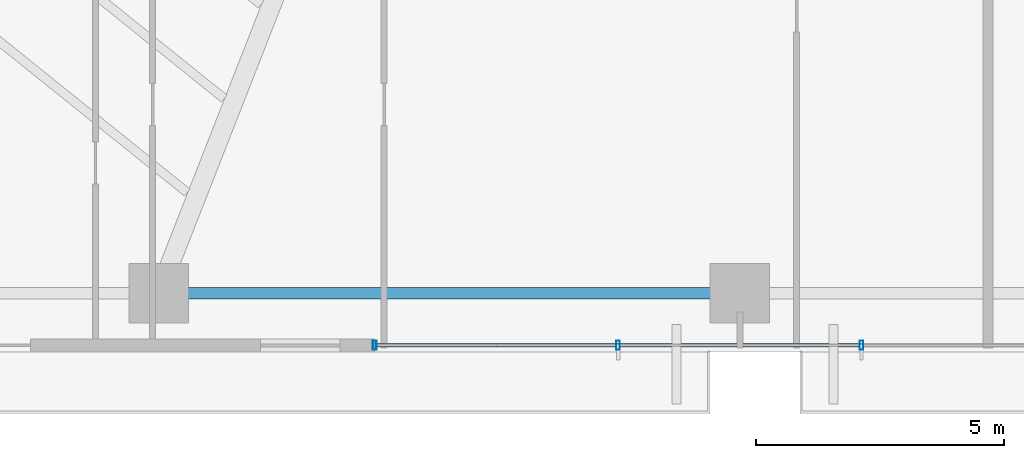
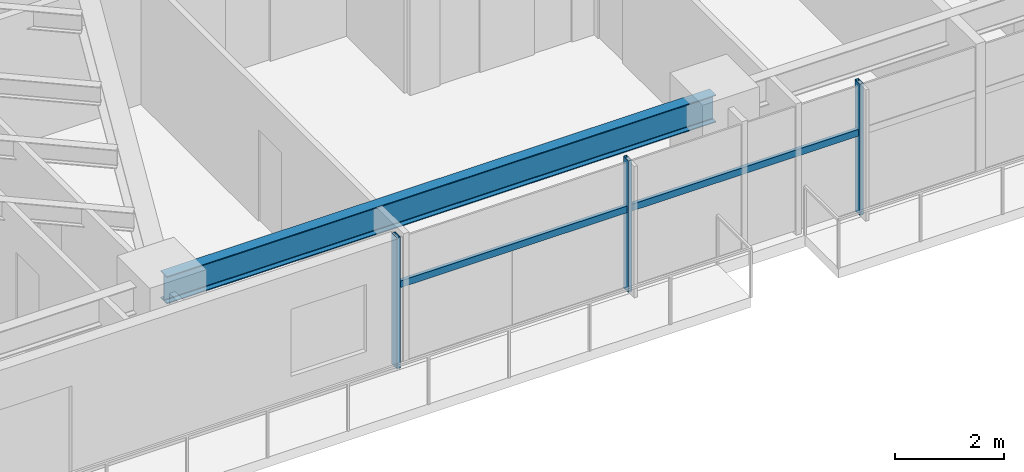
# One storey, part 6 of 25: 5 members, 1 beam, 1 element without a shape of its own.
"""IFC4 building model written with IfcOpenShell, lengths in metres."""

from ifc_helpers import new_model, si_unit, direction, frame, origin, origin_2d, place, context, subcontext, project, spatial, hollow_rectangle, i_section, extrude, source, transform, mapped, material, material_profile, profile_set, type_object, type_shapes, element, aggregate, save


model = new_model("IFC4")

# Units and contexts
model_context = context("Model", 3, precision=1e-05, world=origin(), true_north=direction((0.0, 1.0)))
body_context = subcontext(model_context, "Body", "Model", "MODEL_VIEW")
ifc_project = project(units=[si_unit("LENGTHUNIT", "METRE"), si_unit("AREAUNIT", "SQUARE_METRE"), si_unit("VOLUMEUNIT", "CUBIC_METRE"), si_unit("PLANEANGLEUNIT", "RADIAN"), si_unit("MASSUNIT", "GRAM", prefix="KILO")], contexts=[model_context])

# Site, building, storey
site_placement = place(None, origin())
site = spatial("IfcSite", under=ifc_project, at=site_placement, CompositionType="ELEMENT")
building_placement = place(site_placement, origin())
building = spatial("IfcBuilding", under=site, at=building_placement, Name="Astriad Promenade Condominiums", CompositionType="ELEMENT")
storey_placement = place(building_placement, frame((0.0, 0.0, 35.800048828125)))
storey = spatial("IfcBuildingStorey", under=building, at=storey_placement, Name="L09", CompositionType="ELEMENT", Elevation=35.800048828125)

# Beam
ifc_material_1 = material(Name="Steel ASTM A992 Grade 50", Category="steel")
ifc_material_profile_1 = material_profile(ifc_material_1, i_section(OverallWidth=0.22900390625, OverallDepth=0.612060546875, WebThickness=0.011962890625, FlangeThickness=0.01953125, FilletRadius=0.017822265625, at=origin_2d()), Name="W24X84")
ifc_profile_set_1 = profile_set([ifc_material_profile_1], Name="Steel ASTM A992 Grade 50")
beam_type = type_object("IfcBeamType", Name="STEEL SPANDREL BEAM W24X84", PredefinedType="SPANDREL", material=ifc_profile_set_1)
shared_shape_1 = source(origin(), body_context, "Body", "SweptSolid", [
    extrude(i_section(OverallWidth=0.22900390625, OverallDepth=0.612060546875, WebThickness=0.011962890625, FlangeThickness=0.01953125, FilletRadius=0.017822265625, at=origin_2d()), origin(), (0.0, 0.0, 1.0), 11.6201171875),
])
type_shapes(beam_type, [shared_shape_1])
beam_placement = place(storey_placement, frame((21.139892578125, 3.8798828125, 2.634033203125), z_axis=(1.0, 0.0, 0.0), x_axis=(0.0, 1.0, 0.0)))
element("IfcBeam", 1, at=beam_placement, inside=storey, type_object=beam_type, Name="Perimeter Spandrel Beam SP-S2-L09", PredefinedType="SPANDREL", context=body_context, shape_type="MappedRepresentation", body=[
    mapped(shared_shape_1, transform((0.0, 0.0, 0.0), scale=1.0)),
])

# Curtain wall, members
ifc_material_2 = material(Name="Anodised aluminium Black Dark Glass Unitised", Category="aluminium")
curtain_wall_type = type_object("IfcCurtainWallType", Name="CW-B1-DARK", PredefinedType="USERDEFINED", material=ifc_material_2)
curtain_wall_placement = place(storey_placement, origin())
curtain_wall = element("IfcCurtainWall", 2, at=curtain_wall_placement, inside=storey, type_object=curtain_wall_type, Name="CW-L09-S", ObjectType="UNITISED_CURTAIN_WALL", PredefinedType="USERDEFINED")
ifc_material_3 = material(Name="Anodised aluminium 6063-T6 Black", Category="aluminium")
ifc_material_profile_2 = material_profile(ifc_material_3, hollow_rectangle(XDim=0.074951171875, YDim=0.18505859375, WallThickness=0.00439453125, at=origin_2d()), Name="ALU-MUL-75X185")
ifc_profile_set_2 = profile_set([ifc_material_profile_2], Name="Anodised aluminium 6063-T6 Black")
member_type_1 = type_object("IfcMemberType", Name="MUL-ALU-MUL-75X185", PredefinedType="MULLION", material=ifc_profile_set_2)
shared_shape_2 = source(origin(), body_context, "Body", "SweptSolid", [
    extrude(hollow_rectangle(XDim=0.074951171875, YDim=0.18505859375, WallThickness=0.00439453125, at=origin_2d()), origin(), (0.0, 0.0, 1.0), 2.93994140625),
])
type_shapes(member_type_1, [shared_shape_2])
member_1_placement = place(storey_placement, frame((35.25, 2.830078125, 0.0), z_axis=(0.0, 0.0, 1.0), x_axis=(1.0, 0.0, 0.0)))
member_1 = element("IfcMember", 3, at=member_1_placement, type_object=member_type_1, Name="CW-L09-S-MUL-01", PredefinedType="MULLION", context=body_context, shape_type="MappedRepresentation", body=[
    mapped(shared_shape_2, transform((0.0, 0.0, 0.0), scale=1.0)),
])
member_2_placement = place(storey_placement, frame((30.35009765625, 2.830078125, 0.0), z_axis=(0.0, 0.0, 1.0), x_axis=(1.0, 0.0, 0.0)))
member_2 = element("IfcMember", 4, at=member_2_placement, type_object=member_type_1, Name="CW-L09-S-MUL-02", PredefinedType="MULLION", context=body_context, shape_type="MappedRepresentation", body=[
    mapped(shared_shape_2, transform((0.0, 0.0, 0.0), scale=1.0)),
])
member_3_placement = place(storey_placement, frame((25.449951171875, 2.830078125, 0.0), z_axis=(0.0, 0.0, 1.0), x_axis=(1.0, 0.0, 0.0)))
member_3 = element("IfcMember", 5, at=member_3_placement, type_object=member_type_1, Name="CW-L09-S-MUL-03", PredefinedType="MULLION", context=body_context, shape_type="MappedRepresentation", body=[
    mapped(shared_shape_2, transform((0.0, 0.0, 0.0), scale=1.0)),
])
ifc_material_profile_3 = material_profile(ifc_material_3, hollow_rectangle(XDim=0.074951171875, YDim=0.14990234375, WallThickness=0.004150390625, at=origin_2d()), Name="ALU-TRN-75X150")
ifc_profile_set_3 = profile_set([ifc_material_profile_3], Name="Anodised aluminium 6063-T6 Black")
member_type_2 = type_object("IfcMemberType", Name="TRN-ALU-TRN-75X150", PredefinedType="USERDEFINED", material=ifc_profile_set_3)
shared_shape_3 = source(origin(), body_context, "Body", "SweptSolid", [
    extrude(hollow_rectangle(XDim=0.074951171875, YDim=0.14990234375, WallThickness=0.004150390625, at=origin_2d()), origin(), (0.0, 0.0, 1.0), 4.900146484375),
])
member_4_placement = place(storey_placement, frame((30.35009765625, 2.830078125, 1.82275390625), z_axis=(-1.0, 0.0, 0.0), x_axis=(0.0, -1.0, 0.0)))
member_4 = element("IfcMember", 6, at=member_4_placement, type_object=member_type_2, Name="CW-L09-S-TRN-02-0", ObjectType="TRANSOM", PredefinedType="USERDEFINED", context=body_context, shape_type="MappedRepresentation", body=[
    mapped(shared_shape_3, transform((0.0, 0.0, 0.0), scale=1.0)),
])
shared_shape_4 = source(origin(), body_context, "Body", "SweptSolid", [
    extrude(hollow_rectangle(XDim=0.074951171875, YDim=0.14990234375, WallThickness=0.004150390625, at=origin_2d()), origin(), (0.0, 0.0, 1.0), 4.89990234375),
])
type_shapes(member_type_2, [shared_shape_3, shared_shape_4])
member_5_placement = place(storey_placement, frame((35.25, 2.830078125, 1.82275390625), z_axis=(-1.0, 0.0, 0.0), x_axis=(0.0, -1.0, 0.0)))
member_5 = element("IfcMember", 7, at=member_5_placement, type_object=member_type_2, Name="CW-L09-S-TRN-01-0", ObjectType="TRANSOM", PredefinedType="USERDEFINED", context=body_context, shape_type="MappedRepresentation", body=[
    mapped(shared_shape_4, transform((0.0, 0.0, 0.0), scale=1.0)),
])
aggregate(curtain_wall, [member_1, member_2, member_3, member_5, member_4])

save(model, "model.ifc")
